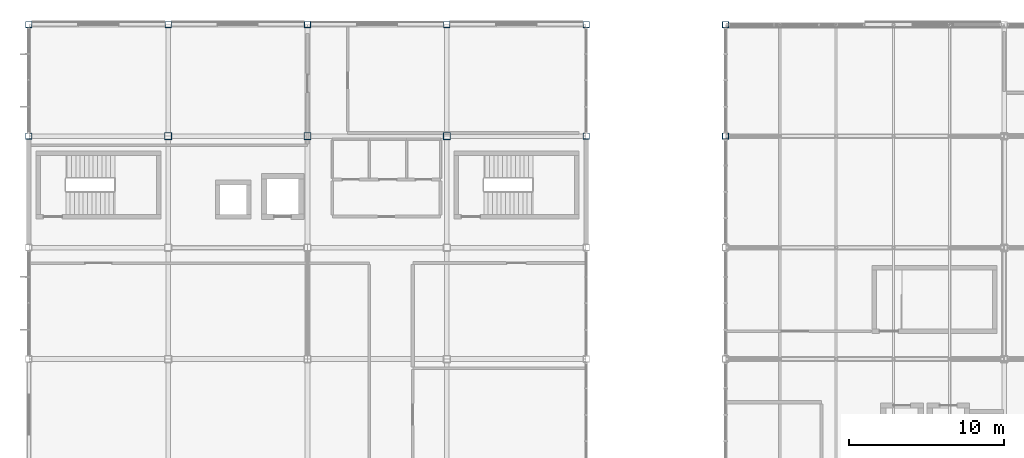
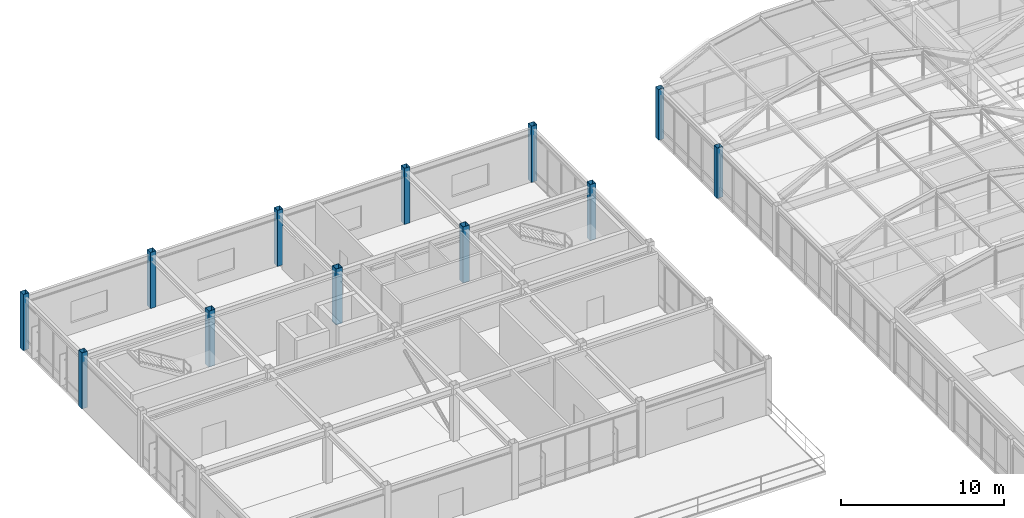
# One storey, part 5 of 106: 12 columns.
"""IFC4 building model written with IfcOpenShell, lengths in metres."""

from ifc_helpers import new_model, si_unit, direction, frame, origin, origin_2d, place, context, subcontext, project, spatial, hollow_rectangle, extrude, material, material_profile, profile_set, type_object, element, save


model = new_model("IFC4")

# Units and contexts
model_context = context("Model", 3, precision=1e-05, world=origin(), true_north=direction((0.0, 1.0)))
body_context = subcontext(model_context, "Body", "Model", "MODEL_VIEW")
ifc_project = project(units=[si_unit("LENGTHUNIT", "METRE"), si_unit("AREAUNIT", "SQUARE_METRE"), si_unit("VOLUMEUNIT", "CUBIC_METRE"), si_unit("PLANEANGLEUNIT", "RADIAN"), si_unit("MASSUNIT", "GRAM", prefix="KILO")], contexts=[model_context])

# Site, building, storey
site_placement = place(None, origin())
site = spatial("IfcSite", under=ifc_project, at=site_placement, CompositionType="ELEMENT")
building_placement = place(site_placement, origin())
building = spatial("IfcBuilding", under=site, at=building_placement, Name="Kazanami Central Library", CompositionType="ELEMENT")
storey_placement = place(building_placement, frame((0.0, 0.0, 12.800048828125)))
storey = spatial("IfcBuildingStorey", under=building, at=storey_placement, Name="L04", CompositionType="ELEMENT", Elevation=12.800048828125)

# Columns
ifc_material = material(Name="Steel BCP325 (325 MPa)", Category="steel")
ifc_material_profile_1 = material_profile(ifc_material, hollow_rectangle(XDim=0.39990234375, YDim=0.39990234375, WallThickness=0.01611328125, at=origin_2d()), Name="BCP-400x400x16")
ifc_profile_set_1 = profile_set([ifc_material_profile_1], Name="Steel BCP325 (325 MPa)")
column_type_1 = type_object("IfcColumnType", Name="COL-C-P3E", PredefinedType="COLUMN", material=ifc_profile_set_1)
for number, where, z_axis, x_axis, name in (
    (1, (0.0, 86.39990234375, 0.0), (0.0, 0.0, 1.0), (1.0, 0.0, 0.0), "Column C-P3E L04 1/N"),
    (2, (0.0, 93.60009765625, 0.0), (0.0, 0.0, 1.0), (1.0, 0.0, 0.0), "Column C-P3E L04 1/O"),
    (3, (9.0, 93.60009765625, 0.0), (0.0, 0.0, 1.0), (1.0, 0.0, 0.0), "Column C-P3E L04 2/O"),
    (4, (18.0, 93.60009765625, 0.0), (0.0, 0.0, 1.0), (1.0, 0.0, 0.0), "Column C-P3E L04 3/O"),
    (5, (27.0, 93.60009765625, 0.0), (0.0, 0.0, 1.0), (1.0, 0.0, 0.0), "Column C-P3E L04 4/O"),
    (6, (36.0, 86.39990234375, 0.0), (0.0, 0.0, 1.0), (1.0, 0.0, 0.0), "Column C-P3E L04 5/N"),
    (7, (36.0, 93.60009765625, 0.0), (0.0, 0.0, 1.0), (1.0, 0.0, 0.0), "Column C-P3E L04 5/O"),
):
    element("IfcColumn", number, at=place(storey_placement, frame(where, z_axis=z_axis, x_axis=x_axis)), inside=storey, type_object=column_type_1, Name=name, PredefinedType="COLUMN", context=body_context, shape_type="SweptSolid", body=[
        extrude(hollow_rectangle(XDim=0.39990234375, YDim=0.39990234375, WallThickness=0.01611328125, at=origin_2d()), origin(), (0.0, 0.0, 1.0), 4.199951171875),
    ])
for number, where, z_axis, x_axis, name in (
    (8, (45.0, 86.39990234375, 0.0), (0.0, 0.0, 1.0), (1.0, 0.0, 0.0), "Column C-P3E L04 6/N"),
    (9, (45.0, 93.60009765625, 0.0), (0.0, 0.0, 1.0), (1.0, 0.0, 0.0), "Column C-P3E L04 6/O"),
):
    element("IfcColumn", number, at=place(storey_placement, frame(where, z_axis=z_axis, x_axis=x_axis)), inside=storey, type_object=column_type_1, Name=name, PredefinedType="COLUMN", context=body_context, shape_type="SweptSolid", body=[
        extrude(hollow_rectangle(XDim=0.39990234375, YDim=0.39990234375, WallThickness=0.01611328125, at=origin_2d()), origin(), (0.0, 0.0, 1.0), 3.780029296875),
    ])
ifc_material_profile_2 = material_profile(ifc_material, hollow_rectangle(XDim=0.449951171875, YDim=0.449951171875, WallThickness=0.01904296875, at=origin_2d()), Name="BCP-450x450x19")
ifc_profile_set_2 = profile_set([ifc_material_profile_2], Name="Steel BCP325 (325 MPa)")
column_type_2 = type_object("IfcColumnType", Name="COL-C-P3I", PredefinedType="COLUMN", material=ifc_profile_set_2)
for number, where, z_axis, x_axis, name in (
    (10, (9.0, 86.39990234375, 0.0), (0.0, 0.0, 1.0), (1.0, 0.0, 0.0), "Column C-P3I L04 2/N"),
    (11, (18.0, 86.39990234375, 0.0), (0.0, 0.0, 1.0), (1.0, 0.0, 0.0), "Column C-P3I L04 3/N"),
    (12, (27.0, 86.39990234375, 0.0), (0.0, 0.0, 1.0), (1.0, 0.0, 0.0), "Column C-P3I L04 4/N"),
):
    element("IfcColumn", number, at=place(storey_placement, frame(where, z_axis=z_axis, x_axis=x_axis)), inside=storey, type_object=column_type_2, Name=name, PredefinedType="COLUMN", context=body_context, shape_type="SweptSolid", body=[
        extrude(hollow_rectangle(XDim=0.449951171875, YDim=0.449951171875, WallThickness=0.01904296875, at=origin_2d()), origin(), (0.0, 0.0, 1.0), 4.199951171875),
    ])

save(model, "model.ifc")
